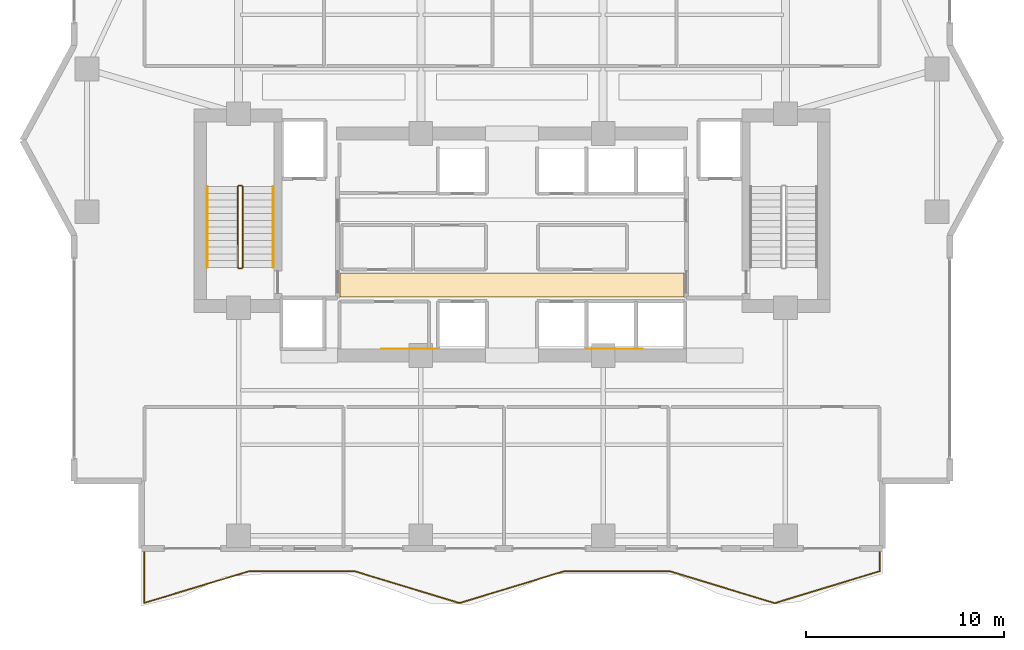
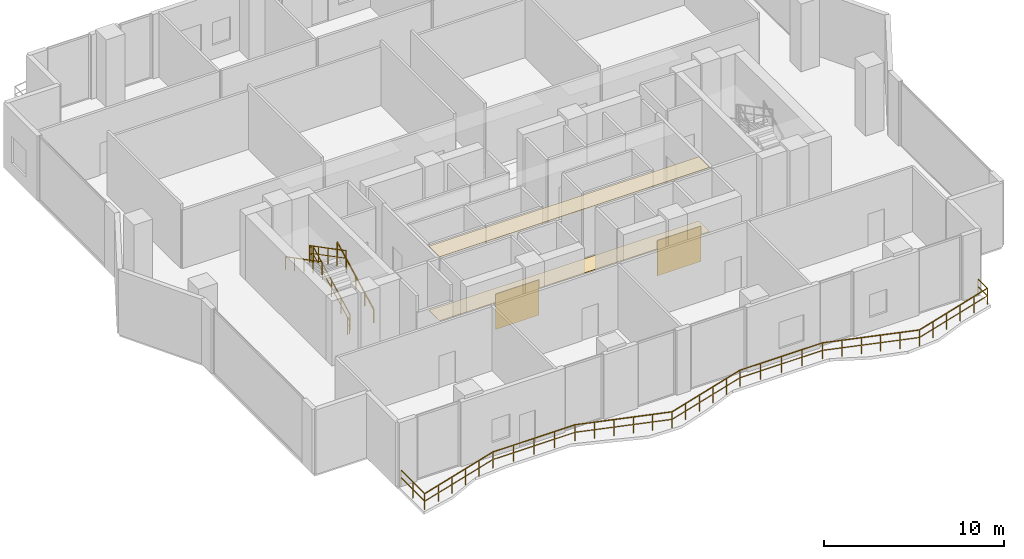
# One storey, part 28 of 31: 7 railings, 4 coverings.
"""IFC4 building model written with IfcOpenShell, lengths in metres."""

from ifc_helpers import new_model, si_unit, direction, frame, origin, origin_2d, place, context, subcontext, project, spatial, polyline, rectangle, outline, extrude, material, layer, layer_set, type_object, element, save


model = new_model("IFC4")

# Units and contexts
model_context = context("Model", 3, precision=1e-05, world=origin(), true_north=direction((0.0, 1.0)))
body_context = subcontext(model_context, "Body", "Model", "MODEL_VIEW")
ifc_project = project(units=[si_unit("LENGTHUNIT", "METRE"), si_unit("AREAUNIT", "SQUARE_METRE"), si_unit("VOLUMEUNIT", "CUBIC_METRE"), si_unit("PLANEANGLEUNIT", "RADIAN"), si_unit("MASSUNIT", "GRAM", prefix="KILO")], contexts=[model_context])

# Site, building, storey
site_placement = place(None, origin())
site = spatial("IfcSite", under=ifc_project, at=site_placement, CompositionType="ELEMENT")
building_placement = place(site_placement, origin())
building = spatial("IfcBuilding", under=site, at=building_placement, Name="Zuhayl Quay Hotel", CompositionType="ELEMENT")
storey_placement = place(building_placement, frame((0.0, 0.0, 172.800048828125)))
storey = spatial("IfcBuildingStorey", under=building, at=storey_placement, Name="L43", CompositionType="ELEMENT", Elevation=172.800048828125)

# Coverings
ifc_material_1 = material(Name="Acoustic Mineral-Fibre Gypsum Board")
ifc_layer_1 = layer(ifc_material_1, 0.02490234375, Name="Acoustic Mineral-Fibre Gypsum Board")
ifc_layer_set_1 = layer_set([ifc_layer_1], Name="Acoustic Mineral-Fibre Gypsum Board")
covering_type_1 = type_object("IfcCoveringType", Name="CV_CEIL_ACOUSTIC", PredefinedType="CEILING", material=ifc_layer_set_1)
covering_1_placement = place(storey_placement, frame((0.0, 0.0, 4.35498046875)))
element("IfcCovering", 1, at=covering_1_placement, inside=storey, type_object=covering_type_1, Name="L43 Suspended Acoustic Lobby Ceiling S", PredefinedType="CEILING", context=body_context, shape_type="SweptSolid", body=[
    extrude(outline(polyline([(-8.679931640625, 5.10009765625), (8.679931640625, 5.10009765625), (8.679931640625, 6.300048828125), (-8.679931640625, 6.300048828125), (-8.679931640625, 5.10009765625)])), origin(), (0.0, 0.0, 1.0), 0.02490234375),
])
ifc_material_2 = material(Name="Polished Limestone Terrazzo", Category="masonry")
ifc_layer_2 = layer(ifc_material_2, 0.02001953125, Name="Polished Limestone Terrazzo", Category="masonry")
ifc_layer_set_2 = layer_set([ifc_layer_2], Name="Polished Limestone Terrazzo")
covering_type_2 = type_object("IfcCoveringType", Name="CV_FLOOR_TERRAZZO", PredefinedType="FLOORING", material=ifc_layer_set_2)
covering_2_placement = place(storey_placement, origin())
element("IfcCovering", 2, at=covering_2_placement, inside=storey, type_object=covering_type_2, Name="L43 Honed Limestone Terrazzo Lobby Flooring S", PredefinedType="FLOORING", context=body_context, shape_type="SweptSolid", body=[
    extrude(outline(polyline([(-8.679931640625, 5.10009765625), (8.679931640625, 5.10009765625), (8.679931640625, 6.300048828125), (-8.679931640625, 6.300048828125), (-8.679931640625, 5.10009765625)])), origin(), (0.0, 0.0, 1.0), 0.02001953125),
])
ifc_material_3 = material(Name="Acoustic Walnut Feature Timber", Category="wood")
ifc_layer_3 = layer(ifc_material_3, 0.02197265625, Name="Acoustic Walnut Feature Timber", Category="wood")
ifc_layer_set_3 = layer_set([ifc_layer_3], Name="Acoustic Walnut Feature Timber")
covering_type_3 = type_object("IfcCoveringType", Name="CV_WALL_CLAD", PredefinedType="CLADDING", material=ifc_layer_set_3)
for number, where, z_axis, x_axis, name in (
    (3, (-5.199951171875, 2.486083984375, 0.300048828125), (0.0, 0.0, 1.0), (1.0, 0.0, 0.0), "L43 Feature Lobby Walnut Wall Cladding W"),
    (4, (5.199951171875, 2.486083984375, 0.300048828125), (0.0, 0.0, 1.0), (1.0, 0.0, 0.0), "L43 Feature Lobby Walnut Wall Cladding E"),
):
    element("IfcCovering", number, at=place(storey_placement, frame(where, z_axis=z_axis, x_axis=x_axis)), inside=storey, type_object=covering_type_3, Name=name, PredefinedType="CLADDING", context=body_context, shape_type="SweptSolid", body=[
        extrude(rectangle(XDim=2.800048828125, YDim=0.02197265625, at=origin_2d()), origin(), (0.0, 0.0, 1.0), 2.39990234375),
    ])

# Railings
ifc_material_4 = material(Name="Anodised Aluminium and Laminated Glass", Category="aluminium")
railing_type_1 = type_object("IfcRailingType", Name="RL_EXT_BAL_1100", PredefinedType="BALUSTRADE", material=ifc_material_4)
railing_1_placement = place(storey_placement, frame((-18.56005859375, -7.719970703125, 0.0)))
element("IfcRailing", 5, at=railing_1_placement, inside=storey, type_object=railing_type_1, Name="L43 Balcony and Terrace Guard GR_L43_BAL_S", PredefinedType="BALUSTRADE", context=body_context, shape_type="SweptSolid", body=[
    extrude(rectangle(XDim=0.048095703125, YDim=0.048095703125, at=origin_2d()), frame((0.0, 0.0, 1.09619140625), z_axis=(0.0, -1.0, 0.0), x_axis=(1.0, 0.0, 0.0)), (0.0, 0.0, 1.0), 2.6240234375),
    extrude(rectangle(XDim=0.0361328125, YDim=0.0361328125, at=origin_2d()), frame((0.0, 0.0, 0.58251953125), z_axis=(0.0, -1.0, 0.0), x_axis=(1.0, 0.0, 0.0)), (0.0, 0.0, 1.0), 2.6240234375),
    extrude(rectangle(XDim=0.048095703125, YDim=0.048095703125, at=origin_2d()), frame((0.0, -2.6240234375, 1.09619140625), z_axis=(0.957172527291, 0.289518139326, 0.0), x_axis=(-0.289518139326, 0.957172527291, 0.0)), (0.0, 0.0, 1.0), 5.540283203125),
    extrude(rectangle(XDim=0.0361328125, YDim=0.0361328125, at=origin_2d()), frame((0.0, -2.6240234375, 0.58251953125), z_axis=(0.957172527291, 0.289518139326, 0.0), x_axis=(-0.289518139326, 0.957172527291, 0.0)), (0.0, 0.0, 1.0), 5.540283203125),
    extrude(rectangle(XDim=0.048095703125, YDim=0.048095703125, at=origin_2d()), frame((5.302978515625, -1.02001953125, 1.09619140625), z_axis=(1.0, 0.0, 0.0), x_axis=(0.0, 1.0, 0.0)), (0.0, 0.0, 1.0), 5.302734375),
    extrude(rectangle(XDim=0.0361328125, YDim=0.0361328125, at=origin_2d()), frame((5.302978515625, -1.02001953125, 0.58251953125), z_axis=(1.0, 0.0, 0.0), x_axis=(0.0, 1.0, 0.0)), (0.0, 0.0, 1.0), 5.302734375),
    extrude(rectangle(XDim=0.048095703125, YDim=0.048095703125, at=origin_2d()), frame((10.605712890625, -1.02001953125, 1.09619140625), z_axis=(0.956854553156, -0.29056731424, 0.0), x_axis=(0.29056731424, 0.956854553156, 0.0)), (0.0, 0.0, 1.0), 5.5419921875),
    extrude(rectangle(XDim=0.0361328125, YDim=0.0361328125, at=origin_2d()), frame((10.605712890625, -1.02001953125, 0.58251953125), z_axis=(0.956854553156, -0.29056731424, 0.0), x_axis=(0.29056731424, 0.956854553156, 0.0)), (0.0, 0.0, 1.0), 5.5419921875),
    extrude(rectangle(XDim=0.048095703125, YDim=0.048095703125, at=origin_2d()), frame((15.90869140625, -2.63037109375, 1.09619140625), z_axis=(0.956850833634, 0.290579562553, 0.0), x_axis=(-0.290579562553, 0.956850833634, 0.0)), (0.0, 0.0, 1.0), 5.541748046875),
    extrude(rectangle(XDim=0.0361328125, YDim=0.0361328125, at=origin_2d()), frame((15.90869140625, -2.63037109375, 0.58251953125), z_axis=(0.956850833634, 0.290579562553, 0.0), x_axis=(-0.290579562553, 0.956850833634, 0.0)), (0.0, 0.0, 1.0), 5.541748046875),
    extrude(rectangle(XDim=0.048095703125, YDim=0.048095703125, at=origin_2d()), frame((21.21142578125, -1.02001953125, 1.09619140625), z_axis=(1.0, 0.0, 0.0), x_axis=(0.0, 1.0, 0.0)), (0.0, 0.0, 1.0), 5.302978515625),
    extrude(rectangle(XDim=0.0361328125, YDim=0.0361328125, at=origin_2d()), frame((21.21142578125, -1.02001953125, 0.58251953125), z_axis=(1.0, 0.0, 0.0), x_axis=(0.0, 1.0, 0.0)), (0.0, 0.0, 1.0), 5.302978515625),
    extrude(rectangle(XDim=0.048095703125, YDim=0.048095703125, at=origin_2d()), frame((26.514404296875, -1.02001953125, 1.09619140625), z_axis=(0.956605580456, -0.291385935557, 0.0), x_axis=(0.291385935557, 0.956605580456, 0.0)), (0.0, 0.0, 1.0), 5.543212890625),
    extrude(rectangle(XDim=0.0361328125, YDim=0.0361328125, at=origin_2d()), frame((26.514404296875, -1.02001953125, 0.58251953125), z_axis=(0.956605580456, -0.291385935557, 0.0), x_axis=(0.291385935557, 0.956605580456, 0.0)), (0.0, 0.0, 1.0), 5.543212890625),
    extrude(rectangle(XDim=0.048095703125, YDim=0.048095703125, at=origin_2d()), frame((31.817138671875, -2.63525390625, 1.09619140625), z_axis=(0.956609319691, 0.29137365955, 0.0), x_axis=(-0.29137365955, 0.956609319691, 0.0)), (0.0, 0.0, 1.0), 5.54345703125),
    extrude(rectangle(XDim=0.0361328125, YDim=0.0361328125, at=origin_2d()), frame((31.817138671875, -2.63525390625, 0.58251953125), z_axis=(0.956609319691, 0.29137365955, 0.0), x_axis=(-0.29137365955, 0.956609319691, 0.0)), (0.0, 0.0, 1.0), 5.54345703125),
    extrude(rectangle(XDim=0.048095703125, YDim=0.048095703125, at=origin_2d()), frame((37.1201171875, -1.02001953125, 1.09619140625), z_axis=(0.0, 1.0, 0.0), x_axis=(-1.0, 0.0, 0.0)), (0.0, 0.0, 1.0), 1.02001953125),
    extrude(rectangle(XDim=0.0361328125, YDim=0.0361328125, at=origin_2d()), frame((37.1201171875, -1.02001953125, 0.58251953125), z_axis=(0.0, 1.0, 0.0), x_axis=(-1.0, 0.0, 0.0)), (0.0, 0.0, 1.0), 1.02001953125),
    extrude(rectangle(XDim=0.0419921875, YDim=0.0419921875, at=origin_2d()), origin(), (0.0, 0.0, 1.0), 1.072021484375),
    extrude(rectangle(XDim=0.0419921875, YDim=0.0419921875, at=origin_2d()), frame((0.0, -1.31201171875, 0.0)), (0.0, 0.0, 1.0), 1.072021484375),
    extrude(rectangle(XDim=0.0419921875, YDim=0.0419921875, at=origin_2d()), frame((0.0, -2.6240234375, 0.0)), (0.0, 0.0, 1.0), 1.072021484375),
    extrude(rectangle(XDim=0.0419921875, YDim=0.0419921875, at=origin_2d()), frame((1.060546875, -2.30322265625, 0.0)), (0.0, 0.0, 1.0), 1.072021484375),
    extrude(rectangle(XDim=0.0419921875, YDim=0.0419921875, at=origin_2d()), frame((2.12109375, -1.982421875, 0.0)), (0.0, 0.0, 1.0), 1.072021484375),
    extrude(rectangle(XDim=0.0419921875, YDim=0.0419921875, at=origin_2d()), frame((3.181884765625, -1.66162109375, 0.0)), (0.0, 0.0, 1.0), 1.072021484375),
    extrude(rectangle(XDim=0.0419921875, YDim=0.0419921875, at=origin_2d()), frame((4.242431640625, -1.3408203125, 0.0)), (0.0, 0.0, 1.0), 1.072021484375),
    extrude(rectangle(XDim=0.0419921875, YDim=0.0419921875, at=origin_2d()), frame((5.302978515625, -1.02001953125, 0.0)), (0.0, 0.0, 1.0), 1.072021484375),
    extrude(rectangle(XDim=0.0419921875, YDim=0.0419921875, at=origin_2d()), frame((6.628662109375, -1.02001953125, 0.0)), (0.0, 0.0, 1.0), 1.072021484375),
    extrude(rectangle(XDim=0.0419921875, YDim=0.0419921875, at=origin_2d()), frame((7.954345703125, -1.02001953125, 0.0)), (0.0, 0.0, 1.0), 1.072021484375),
    extrude(rectangle(XDim=0.0419921875, YDim=0.0419921875, at=origin_2d()), frame((9.280029296875, -1.02001953125, 0.0)), (0.0, 0.0, 1.0), 1.072021484375),
    extrude(rectangle(XDim=0.0419921875, YDim=0.0419921875, at=origin_2d()), frame((10.605712890625, -1.02001953125, 0.0)), (0.0, 0.0, 1.0), 1.072021484375),
    extrude(rectangle(XDim=0.0419921875, YDim=0.0419921875, at=origin_2d()), frame((11.666259765625, -1.342041015625, 0.0)), (0.0, 0.0, 1.0), 1.072021484375),
    extrude(rectangle(XDim=0.0419921875, YDim=0.0419921875, at=origin_2d()), frame((12.726806640625, -1.6640625, 0.0)), (0.0, 0.0, 1.0), 1.072021484375),
    extrude(rectangle(XDim=0.0419921875, YDim=0.0419921875, at=origin_2d()), frame((13.78759765625, -1.986328125, 0.0)), (0.0, 0.0, 1.0), 1.072021484375),
    extrude(rectangle(XDim=0.0419921875, YDim=0.0419921875, at=origin_2d()), frame((14.84814453125, -2.308349609375, 0.0)), (0.0, 0.0, 1.0), 1.072021484375),
    extrude(rectangle(XDim=0.0419921875, YDim=0.0419921875, at=origin_2d()), frame((15.90869140625, -2.63037109375, 0.0)), (0.0, 0.0, 1.0), 1.072021484375),
    extrude(rectangle(XDim=0.0419921875, YDim=0.0419921875, at=origin_2d()), frame((16.96923828125, -2.308349609375, 0.0)), (0.0, 0.0, 1.0), 1.072021484375),
    extrude(rectangle(XDim=0.0419921875, YDim=0.0419921875, at=origin_2d()), frame((18.02978515625, -1.986328125, 0.0)), (0.0, 0.0, 1.0), 1.072021484375),
    extrude(rectangle(XDim=0.0419921875, YDim=0.0419921875, at=origin_2d()), frame((19.09033203125, -1.6640625, 0.0)), (0.0, 0.0, 1.0), 1.072021484375),
    extrude(rectangle(XDim=0.0419921875, YDim=0.0419921875, at=origin_2d()), frame((20.15087890625, -1.342041015625, 0.0)), (0.0, 0.0, 1.0), 1.072021484375),
    extrude(rectangle(XDim=0.0419921875, YDim=0.0419921875, at=origin_2d()), frame((21.21142578125, -1.02001953125, 0.0)), (0.0, 0.0, 1.0), 1.072021484375),
    extrude(rectangle(XDim=0.0419921875, YDim=0.0419921875, at=origin_2d()), frame((22.537109375, -1.02001953125, 0.0)), (0.0, 0.0, 1.0), 1.072021484375),
    extrude(rectangle(XDim=0.0419921875, YDim=0.0419921875, at=origin_2d()), frame((23.86279296875, -1.02001953125, 0.0)), (0.0, 0.0, 1.0), 1.072021484375),
    extrude(rectangle(XDim=0.0419921875, YDim=0.0419921875, at=origin_2d()), frame((25.188720703125, -1.02001953125, 0.0)), (0.0, 0.0, 1.0), 1.072021484375),
    extrude(rectangle(XDim=0.0419921875, YDim=0.0419921875, at=origin_2d()), frame((26.514404296875, -1.02001953125, 0.0)), (0.0, 0.0, 1.0), 1.072021484375),
    extrude(rectangle(XDim=0.0419921875, YDim=0.0419921875, at=origin_2d()), frame((27.574951171875, -1.343017578125, 0.0)), (0.0, 0.0, 1.0), 1.072021484375),
    extrude(rectangle(XDim=0.0419921875, YDim=0.0419921875, at=origin_2d()), frame((28.635498046875, -1.666015625, 0.0)), (0.0, 0.0, 1.0), 1.072021484375),
    extrude(rectangle(XDim=0.0419921875, YDim=0.0419921875, at=origin_2d()), frame((29.696044921875, -1.9892578125, 0.0)), (0.0, 0.0, 1.0), 1.072021484375),
    extrude(rectangle(XDim=0.0419921875, YDim=0.0419921875, at=origin_2d()), frame((30.756591796875, -2.312255859375, 0.0)), (0.0, 0.0, 1.0), 1.072021484375),
    extrude(rectangle(XDim=0.0419921875, YDim=0.0419921875, at=origin_2d()), frame((31.817138671875, -2.63525390625, 0.0)), (0.0, 0.0, 1.0), 1.072021484375),
    extrude(rectangle(XDim=0.0419921875, YDim=0.0419921875, at=origin_2d()), frame((32.877685546875, -2.312255859375, 0.0)), (0.0, 0.0, 1.0), 1.072021484375),
    extrude(rectangle(XDim=0.0419921875, YDim=0.0419921875, at=origin_2d()), frame((33.938232421875, -1.9892578125, 0.0)), (0.0, 0.0, 1.0), 1.072021484375),
    extrude(rectangle(XDim=0.0419921875, YDim=0.0419921875, at=origin_2d()), frame((34.9990234375, -1.666015625, 0.0)), (0.0, 0.0, 1.0), 1.072021484375),
    extrude(rectangle(XDim=0.0419921875, YDim=0.0419921875, at=origin_2d()), frame((36.0595703125, -1.343017578125, 0.0)), (0.0, 0.0, 1.0), 1.072021484375),
    extrude(rectangle(XDim=0.0419921875, YDim=0.0419921875, at=origin_2d()), frame((37.1201171875, -1.02001953125, 0.0)), (0.0, 0.0, 1.0), 1.072021484375),
    extrude(rectangle(XDim=0.0419921875, YDim=0.0419921875, at=origin_2d()), frame((37.1201171875, 0.0, 0.0)), (0.0, 0.0, 1.0), 1.072021484375),
])
ifc_material_5 = material(Name="Steel ASTM A992 Grade 50", Category="steel")
railing_type_2 = type_object("IfcRailingType", Name="RL_GUARD_1100", PredefinedType="GUARDRAIL", material=ifc_material_5)
railing_2_placement = place(storey_placement, frame((-13.590087890625, 6.590087890625, 0.1767578125)))
element("IfcRailing", 6, at=railing_2_placement, inside=storey, type_object=railing_type_2, Name="L43 ST1 stair guard 1", PredefinedType="GUARDRAIL", context=body_context, shape_type="SweptSolid", body=[
    extrude(rectangle(XDim=0.048095703125, YDim=0.048095703125, at=origin_2d()), frame((0.0, 0.0, 1.09619140625), z_axis=(0.0, 0.887058571811, 0.461656896598), x_axis=(-1.0, 0.0, 0.0)), (0.0, 0.0, 1.0), 4.599365234375),
    extrude(rectangle(XDim=0.0361328125, YDim=0.0361328125, at=origin_2d()), frame((0.0, 0.0, 0.58251953125), z_axis=(0.0, 0.887058571811, 0.461656896598), x_axis=(-1.0, 0.0, 0.0)), (0.0, 0.0, 1.0), 4.599365234375),
    extrude(rectangle(XDim=0.0419921875, YDim=0.0419921875, at=origin_2d()), origin(), (0.0, 0.0, 1.0), 1.072021484375),
    extrude(rectangle(XDim=0.0419921875, YDim=0.0419921875, at=origin_2d()), frame((0.0, 1.02001953125, 0.53076171875)), (0.0, 0.0, 1.0), 1.072021484375),
    extrude(rectangle(XDim=0.0419921875, YDim=0.0419921875, at=origin_2d()), frame((0.0, 2.0400390625, 1.0615234375)), (0.0, 0.0, 1.0), 1.072021484375),
    extrude(rectangle(XDim=0.0419921875, YDim=0.0419921875, at=origin_2d()), frame((0.0, 3.059814453125, 1.592529296875)), (0.0, 0.0, 1.0), 1.072021484375),
    extrude(rectangle(XDim=0.0419921875, YDim=0.0419921875, at=origin_2d()), frame((0.0, 4.079833984375, 2.123291015625)), (0.0, 0.0, 1.0), 1.072021484375),
])
railing_3_placement = place(storey_placement, frame((-13.639892578125, 10.719970703125, 2.300048828125)))
element("IfcRailing", 7, at=railing_3_placement, inside=storey, type_object=railing_type_2, Name="L43 ST1 stair guard 2", PredefinedType="GUARDRAIL", context=body_context, shape_type="SweptSolid", body=[
    extrude(rectangle(XDim=0.048095703125, YDim=0.048095703125, at=origin_2d()), frame((0.0, 0.0, 1.09619140625), z_axis=(-1.0, 0.0, 0.0), x_axis=(0.0, -1.0, 0.0)), (0.0, 0.0, 1.0), 0.150146484375),
    extrude(rectangle(XDim=0.0361328125, YDim=0.0361328125, at=origin_2d()), frame((0.0, 0.0, 0.58251953125), z_axis=(-1.0, 0.0, 0.0), x_axis=(0.0, -1.0, 0.0)), (0.0, 0.0, 1.0), 0.150146484375),
    extrude(rectangle(XDim=0.0419921875, YDim=0.0419921875, at=origin_2d()), origin(), (0.0, 0.0, 1.0), 1.072021484375),
    extrude(rectangle(XDim=0.0419921875, YDim=0.0419921875, at=origin_2d()), frame((-0.150146484375, 0.0, 0.0)), (0.0, 0.0, 1.0), 1.072021484375),
])
railing_4_placement = place(storey_placement, frame((-13.840087890625, 10.669921875, 2.476806640625)))
element("IfcRailing", 8, at=railing_4_placement, inside=storey, type_object=railing_type_2, Name="L43 ST1 stair guard 3", PredefinedType="GUARDRAIL", context=body_context, shape_type="SweptSolid", body=[
    extrude(rectangle(XDim=0.048095703125, YDim=0.048095703125, at=origin_2d()), frame((0.0, 0.0, 1.09619140625), z_axis=(0.0, -0.887080309456, 0.461615126026), x_axis=(1.0, 0.0, 0.0)), (0.0, 0.0, 1.0), 4.59912109375),
    extrude(rectangle(XDim=0.0361328125, YDim=0.0361328125, at=origin_2d()), frame((0.0, 0.0, 0.58251953125), z_axis=(0.0, -0.887080309456, 0.461615126026), x_axis=(1.0, 0.0, 0.0)), (0.0, 0.0, 1.0), 4.59912109375),
    extrude(rectangle(XDim=0.0419921875, YDim=0.0419921875, at=origin_2d()), origin(), (0.0, 0.0, 1.0), 1.072021484375),
    extrude(rectangle(XDim=0.0419921875, YDim=0.0419921875, at=origin_2d()), frame((0.0, -1.02001953125, 0.53076171875)), (0.0, 0.0, 1.0), 1.072021484375),
    extrude(rectangle(XDim=0.0419921875, YDim=0.0419921875, at=origin_2d()), frame((0.0, -2.0400390625, 1.0615234375)), (0.0, 0.0, 1.0), 1.072021484375),
    extrude(rectangle(XDim=0.0419921875, YDim=0.0419921875, at=origin_2d()), frame((0.0, -3.059814453125, 1.59228515625)), (0.0, 0.0, 1.0), 1.072021484375),
    extrude(rectangle(XDim=0.0419921875, YDim=0.0419921875, at=origin_2d()), frame((0.0, -4.079833984375, 2.123046875)), (0.0, 0.0, 1.0), 1.072021484375),
])
railing_5_placement = place(storey_placement, frame((-13.639892578125, 6.5400390625, 0.0)))
element("IfcRailing", 9, at=railing_5_placement, inside=storey, type_object=railing_type_2, Name="L43 ST1 stair guard 4", PredefinedType="GUARDRAIL", context=body_context, shape_type="SweptSolid", body=[
    extrude(rectangle(XDim=0.048095703125, YDim=0.048095703125, at=origin_2d()), frame((0.0, 0.0, 1.09619140625), z_axis=(-1.0, 0.0, 0.0), x_axis=(0.0, -1.0, 0.0)), (0.0, 0.0, 1.0), 0.150146484375),
    extrude(rectangle(XDim=0.0361328125, YDim=0.0361328125, at=origin_2d()), frame((0.0, 0.0, 0.58251953125), z_axis=(-1.0, 0.0, 0.0), x_axis=(0.0, -1.0, 0.0)), (0.0, 0.0, 1.0), 0.150146484375),
    extrude(rectangle(XDim=0.0419921875, YDim=0.0419921875, at=origin_2d()), origin(), (0.0, 0.0, 1.0), 1.072021484375),
    extrude(rectangle(XDim=0.0419921875, YDim=0.0419921875, at=origin_2d()), frame((-0.150146484375, 0.0, 0.0)), (0.0, 0.0, 1.0), 1.072021484375),
])
railing_type_3 = type_object("IfcRailingType", Name="RL_HANDRAIL_920", PredefinedType="HANDRAIL", material=ifc_material_5)
railing_6_placement = place(storey_placement, frame((-12.050048828125, 6.590087890625, 0.1767578125)))
element("IfcRailing", 10, at=railing_6_placement, inside=storey, type_object=railing_type_3, Name="L43 ST1 stair handrail 1", PredefinedType="HANDRAIL", context=body_context, shape_type="SweptSolid", body=[
    extrude(rectangle(XDim=0.048095703125, YDim=0.048095703125, at=origin_2d()), frame((0.0, 0.0, 0.8759765625), z_axis=(0.0, 0.887058571811, 0.461656896598), x_axis=(-1.0, 0.0, 0.0)), (0.0, 0.0, 1.0), 4.599365234375),
    extrude(rectangle(XDim=0.0419921875, YDim=0.0419921875, at=origin_2d()), origin(), (0.0, 0.0, 1.0), 0.851806640625),
    extrude(rectangle(XDim=0.0419921875, YDim=0.0419921875, at=origin_2d()), frame((0.0, 1.02001953125, 0.53076171875)), (0.0, 0.0, 1.0), 0.851806640625),
    extrude(rectangle(XDim=0.0419921875, YDim=0.0419921875, at=origin_2d()), frame((0.0, 2.0400390625, 1.0615234375)), (0.0, 0.0, 1.0), 0.851806640625),
    extrude(rectangle(XDim=0.0419921875, YDim=0.0419921875, at=origin_2d()), frame((0.0, 3.059814453125, 1.592529296875)), (0.0, 0.0, 1.0), 0.851806640625),
    extrude(rectangle(XDim=0.0419921875, YDim=0.0419921875, at=origin_2d()), frame((0.0, 4.079833984375, 2.123291015625)), (0.0, 0.0, 1.0), 0.851806640625),
])
railing_7_placement = place(storey_placement, frame((-15.3798828125, 10.669921875, 2.476806640625)))
element("IfcRailing", 11, at=railing_7_placement, inside=storey, type_object=railing_type_3, Name="L43 ST1 stair handrail 2", PredefinedType="HANDRAIL", context=body_context, shape_type="SweptSolid", body=[
    extrude(rectangle(XDim=0.048095703125, YDim=0.048095703125, at=origin_2d()), frame((0.0, 0.0, 0.8759765625), z_axis=(0.0, -0.887080309456, 0.461615126026), x_axis=(1.0, 0.0, 0.0)), (0.0, 0.0, 1.0), 4.59912109375),
    extrude(rectangle(XDim=0.0419921875, YDim=0.0419921875, at=origin_2d()), origin(), (0.0, 0.0, 1.0), 0.851806640625),
    extrude(rectangle(XDim=0.0419921875, YDim=0.0419921875, at=origin_2d()), frame((0.0, -1.02001953125, 0.53076171875)), (0.0, 0.0, 1.0), 0.851806640625),
    extrude(rectangle(XDim=0.0419921875, YDim=0.0419921875, at=origin_2d()), frame((0.0, -2.0400390625, 1.0615234375)), (0.0, 0.0, 1.0), 0.851806640625),
    extrude(rectangle(XDim=0.0419921875, YDim=0.0419921875, at=origin_2d()), frame((0.0, -3.059814453125, 1.59228515625)), (0.0, 0.0, 1.0), 0.851806640625),
    extrude(rectangle(XDim=0.0419921875, YDim=0.0419921875, at=origin_2d()), frame((0.0, -4.079833984375, 2.123046875)), (0.0, 0.0, 1.0), 0.851806640625),
])

save(model, "model.ifc")
